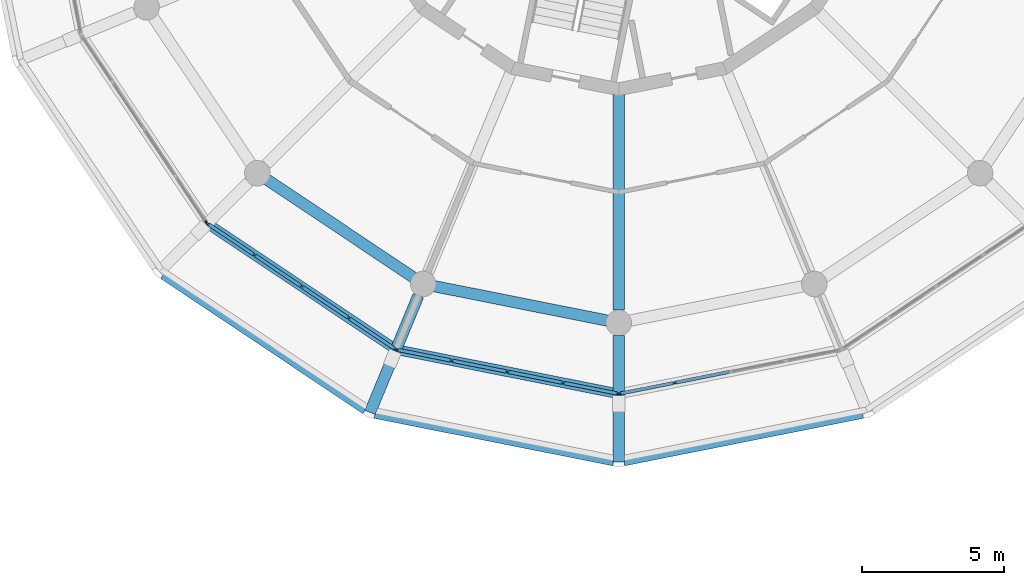
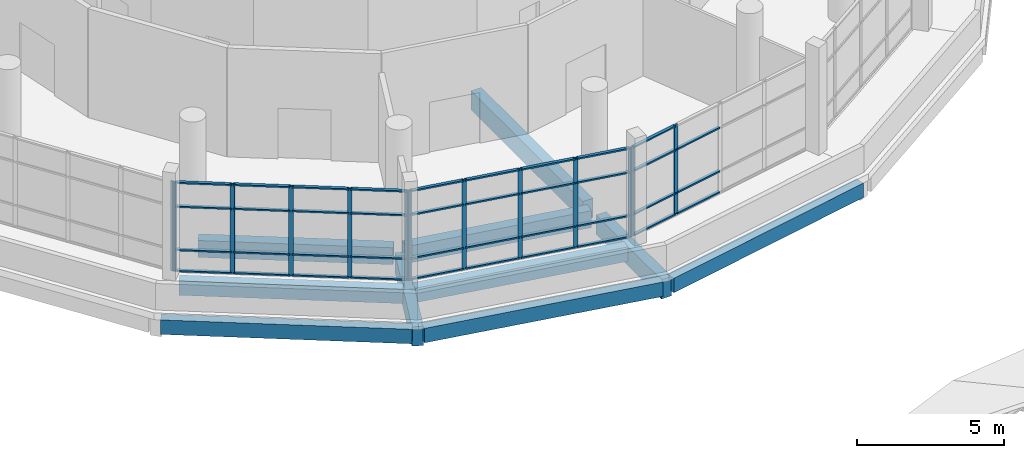
# One storey, part 3 of 21: 52 members, 10 beams, 4 elements without a shape of their own.
"""IFC4 building model written with IfcOpenShell, lengths in metres."""

from ifc_helpers import new_model, si_unit, direction, frame, origin, origin_2d, place, context, subcontext, project, spatial, rectangle, extrude, material, material_profile, profile_set, type_object, element, aggregate, save


model = new_model("IFC4")

# Units and contexts
model_context = context("Model", 3, precision=1e-05, world=origin(), true_north=direction((0.0, 1.0)))
body_context = subcontext(model_context, "Body", "Model", "MODEL_VIEW")
ifc_project = project(units=[si_unit("LENGTHUNIT", "METRE"), si_unit("AREAUNIT", "SQUARE_METRE"), si_unit("VOLUMEUNIT", "CUBIC_METRE"), si_unit("PLANEANGLEUNIT", "RADIAN"), si_unit("MASSUNIT", "GRAM", prefix="KILO")], contexts=[model_context])

# Site, building, storey
site_placement = place(None, origin())
site = spatial("IfcSite", under=ifc_project, at=site_placement, CompositionType="ELEMENT")
building_placement = place(site_placement, origin())
building = spatial("IfcBuilding", under=site, at=building_placement, Name="Ceibo Conservatory and Research Tower", CompositionType="ELEMENT")
storey_placement = place(building_placement, frame((0.0, 0.0, 15.60009765625)))
storey = spatial("IfcBuildingStorey", under=building, at=storey_placement, Name="L03", CompositionType="ELEMENT", Elevation=15.60009765625)

# Curtain wall, member
ifc_material_1 = material(Name="Aluminium and glass", Category="aluminium")
curtain_wall_type = type_object("IfcCurtainWallType", Name="Curtain wall CW1", PredefinedType="NOTDEFINED", material=ifc_material_1)
curtain_wall_1_placement = place(storey_placement, origin())
curtain_wall_1 = element("IfcCurtainWall", 1, at=curtain_wall_1_placement, inside=storey, type_object=curtain_wall_type, Name="CW-03.10", PredefinedType="NOTDEFINED")
ifc_material_2 = material(Name="Aluminium", Category="aluminium")
ifc_material_profile_1 = material_profile(ifc_material_2, rectangle(XDim=0.06005859375, YDim=0.159912109375, at=origin_2d()), Name="Aluminium 60 x 160")
ifc_profile_set_1 = profile_set([ifc_material_profile_1], Name="Aluminium")
member_type_1 = type_object("IfcMemberType", Name="Aluminium mullion 60 x 160", PredefinedType="MULLION", material=ifc_profile_set_1)
member_1_placement = place(storey_placement, frame((33.487548828125, 105.529296875, 0.0), z_axis=(0.0, 0.0, 1.0), x_axis=(0.831469649004, 0.555570178092, 0.0)))
member_1 = element("IfcMember", 2, at=member_1_placement, type_object=member_type_1, Name="CW-03.10 mullion 5", PredefinedType="MULLION", context=body_context, shape_type="SweptSolid", body=[
    extrude(rectangle(XDim=0.06005859375, YDim=0.159912109375, at=origin_2d()), origin(), (0.0, 0.0, 1.0), 3.719970703125),
])
aggregate(curtain_wall_1, [member_1])

# Curtain wall, members
curtain_wall_2_placement = place(storey_placement, origin())
curtain_wall_2 = element("IfcCurtainWall", 3, at=curtain_wall_2_placement, inside=storey, type_object=curtain_wall_type, Name="CW-03.11", PredefinedType="NOTDEFINED")
member_2_placement = place(storey_placement, frame((33.529296875, 105.487548828125, 0.0), z_axis=(0.0, 0.0, 1.0), x_axis=(0.555570178092, 0.831469649004, 0.0)))
member_2 = element("IfcMember", 4, at=member_2_placement, type_object=member_type_1, Name="CW-03.11 mullion 1", PredefinedType="MULLION", context=body_context, shape_type="SweptSolid", body=[
    extrude(rectangle(XDim=0.06005859375, YDim=0.159912109375, at=origin_2d()), origin(), (0.0, 0.0, 1.0), 3.719970703125),
])
member_3_placement = place(storey_placement, frame((35.1669921875, 104.393310546875, 0.0), z_axis=(0.0, 0.0, 1.0), x_axis=(0.555570178092, 0.831469649004, 0.0)))
member_3 = element("IfcMember", 5, at=member_3_placement, type_object=member_type_1, Name="CW-03.11 mullion 2", PredefinedType="MULLION", context=body_context, shape_type="SweptSolid", body=[
    extrude(rectangle(XDim=0.06005859375, YDim=0.159912109375, at=origin_2d()), origin(), (0.0, 0.0, 1.0), 3.719970703125),
])
member_4_placement = place(storey_placement, frame((36.82958984375, 103.282470703125, 0.0), z_axis=(0.0, 0.0, 1.0), x_axis=(0.555570178092, 0.831469649004, 0.0)))
member_4 = element("IfcMember", 6, at=member_4_placement, type_object=member_type_1, Name="CW-03.11 mullion 3", PredefinedType="MULLION", context=body_context, shape_type="SweptSolid", body=[
    extrude(rectangle(XDim=0.06005859375, YDim=0.159912109375, at=origin_2d()), origin(), (0.0, 0.0, 1.0), 3.719970703125),
])
member_5_placement = place(storey_placement, frame((38.492431640625, 102.17138671875, 0.0), z_axis=(0.0, 0.0, 1.0), x_axis=(0.555570178092, 0.831469649004, 0.0)))
member_5 = element("IfcMember", 7, at=member_5_placement, type_object=member_type_1, Name="CW-03.11 mullion 4", PredefinedType="MULLION", context=body_context, shape_type="SweptSolid", body=[
    extrude(rectangle(XDim=0.06005859375, YDim=0.159912109375, at=origin_2d()), origin(), (0.0, 0.0, 1.0), 3.719970703125),
])
member_6_placement = place(storey_placement, frame((40.130126953125, 101.0771484375, 0.0), z_axis=(0.0, 0.0, 1.0), x_axis=(0.555570178092, 0.831469649004, 0.0)))
member_6 = element("IfcMember", 8, at=member_6_placement, type_object=member_type_1, Name="CW-03.11 mullion 5", PredefinedType="MULLION", context=body_context, shape_type="SweptSolid", body=[
    extrude(rectangle(XDim=0.06005859375, YDim=0.159912109375, at=origin_2d()), origin(), (0.0, 0.0, 1.0), 3.719970703125),
])

curtain_wall_3_placement = place(storey_placement, origin())
curtain_wall_3 = element("IfcCurtainWall", 9, at=curtain_wall_3_placement, inside=storey, type_object=curtain_wall_type, Name="CW-03.12", PredefinedType="NOTDEFINED")
member_7_placement = place(storey_placement, frame((40.184326171875, 101.0546875, 0.0), z_axis=(0.0, 0.0, 1.0), x_axis=(0.195090380799, 0.980785268711, 0.0)))
member_7 = element("IfcMember", 10, at=member_7_placement, type_object=member_type_1, Name="CW-03.12 mullion 1", PredefinedType="MULLION", context=body_context, shape_type="SweptSolid", body=[
    extrude(rectangle(XDim=0.06005859375, YDim=0.159912109375, at=origin_2d()), origin(), (0.0, 0.0, 1.0), 3.719970703125),
])
member_8_placement = place(storey_placement, frame((42.1162109375, 100.67041015625, 0.0), z_axis=(0.0, 0.0, 1.0), x_axis=(0.195090380799, 0.980785268711, 0.0)))
member_8 = element("IfcMember", 11, at=member_8_placement, type_object=member_type_1, Name="CW-03.12 mullion 2", PredefinedType="MULLION", context=body_context, shape_type="SweptSolid", body=[
    extrude(rectangle(XDim=0.06005859375, YDim=0.159912109375, at=origin_2d()), origin(), (0.0, 0.0, 1.0), 3.719970703125),
])
member_9_placement = place(storey_placement, frame((44.077392578125, 100.2802734375, 0.0), z_axis=(0.0, 0.0, 1.0), x_axis=(0.195090380799, 0.980785268711, 0.0)))
member_9 = element("IfcMember", 12, at=member_9_placement, type_object=member_type_1, Name="CW-03.12 mullion 3", PredefinedType="MULLION", context=body_context, shape_type="SweptSolid", body=[
    extrude(rectangle(XDim=0.06005859375, YDim=0.159912109375, at=origin_2d()), origin(), (0.0, 0.0, 1.0), 3.719970703125),
])
member_10_placement = place(storey_placement, frame((46.038818359375, 99.89013671875, 0.0), z_axis=(0.0, 0.0, 1.0), x_axis=(0.195090380799, 0.980785268711, 0.0)))
member_10 = element("IfcMember", 13, at=member_10_placement, type_object=member_type_1, Name="CW-03.12 mullion 4", PredefinedType="MULLION", context=body_context, shape_type="SweptSolid", body=[
    extrude(rectangle(XDim=0.06005859375, YDim=0.159912109375, at=origin_2d()), origin(), (0.0, 0.0, 1.0), 3.719970703125),
])
member_11_placement = place(storey_placement, frame((47.970458984375, 99.505859375, 0.0), z_axis=(0.0, 0.0, 1.0), x_axis=(0.195090380799, 0.980785268711, 0.0)))
member_11 = element("IfcMember", 14, at=member_11_placement, type_object=member_type_1, Name="CW-03.12 mullion 5", PredefinedType="MULLION", context=body_context, shape_type="SweptSolid", body=[
    extrude(rectangle(XDim=0.06005859375, YDim=0.159912109375, at=origin_2d()), origin(), (0.0, 0.0, 1.0), 3.719970703125),
])

curtain_wall_4_placement = place(storey_placement, origin())
curtain_wall_4 = element("IfcCurtainWall", 15, at=curtain_wall_4_placement, inside=storey, type_object=curtain_wall_type, Name="CW-03.13", PredefinedType="NOTDEFINED")
member_12_placement = place(storey_placement, frame((48.029541015625, 99.505859375, 0.0), z_axis=(0.0, 0.0, 1.0), x_axis=(-0.195090380799, 0.980785268711, 0.0)))
member_12 = element("IfcMember", 16, at=member_12_placement, type_object=member_type_1, Name="CW-03.13 mullion 1", PredefinedType="MULLION", context=body_context, shape_type="SweptSolid", body=[
    extrude(rectangle(XDim=0.06005859375, YDim=0.159912109375, at=origin_2d()), origin(), (0.0, 0.0, 1.0), 3.719970703125),
])
member_13_placement = place(storey_placement, frame((49.961181640625, 99.89013671875, 0.0), z_axis=(0.0, 0.0, 1.0), x_axis=(-0.195090380799, 0.980785268711, 0.0)))
member_13 = element("IfcMember", 17, at=member_13_placement, type_object=member_type_1, Name="CW-03.13 mullion 2", PredefinedType="MULLION", context=body_context, shape_type="SweptSolid", body=[
    extrude(rectangle(XDim=0.06005859375, YDim=0.159912109375, at=origin_2d()), origin(), (0.0, 0.0, 1.0), 3.719970703125),
])

# Member
ifc_material_profile_2 = material_profile(ifc_material_2, rectangle(XDim=0.1201171875, YDim=0.06005859375, at=origin_2d()), Name="Aluminium 60 x 120")
ifc_profile_set_2 = profile_set([ifc_material_profile_2], Name="Aluminium")
member_type_2 = type_object("IfcMemberType", Name="Aluminium transom 60 x 120", PredefinedType="USERDEFINED", material=ifc_profile_set_2)
member_14_placement = place(storey_placement, frame((33.55419921875, 105.470947265625, 0.02978515625), z_axis=(0.831459801075, -0.555584916278, 0.0), x_axis=(0.555584916278, 0.831459801075, 0.0)))
member_14 = element("IfcMember", 18, at=member_14_placement, type_object=member_type_2, Name="CW-03.11 transom 1.1", ObjectType="TRANSOM", PredefinedType="USERDEFINED", context=body_context, shape_type="SweptSolid", body=[
    extrude(rectangle(XDim=0.1201171875, YDim=0.06005859375, at=origin_2d()), origin(), (0.0, 0.0, 1.0), 1.90966796875),
])

member_15_placement = place(storey_placement, frame((33.55419921875, 105.470947265625, 0.89990234375), z_axis=(0.831459801075, -0.555584916278, 0.0), x_axis=(0.555584916278, 0.831459801075, 0.0)))
member_15 = element("IfcMember", 19, at=member_15_placement, type_object=member_type_2, Name="CW-03.11 transom 1.2", ObjectType="TRANSOM", PredefinedType="USERDEFINED", context=body_context, shape_type="SweptSolid", body=[
    extrude(rectangle(XDim=0.1201171875, YDim=0.06005859375, at=origin_2d()), origin(), (0.0, 0.0, 1.0), 1.90966796875),
])

member_16_placement = place(storey_placement, frame((33.55419921875, 105.470947265625, 2.699951171875), z_axis=(0.831459801075, -0.555584916278, 0.0), x_axis=(0.555584916278, 0.831459801075, 0.0)))
member_16 = element("IfcMember", 20, at=member_16_placement, type_object=member_type_2, Name="CW-03.11 transom 1.3", ObjectType="TRANSOM", PredefinedType="USERDEFINED", context=body_context, shape_type="SweptSolid", body=[
    extrude(rectangle(XDim=0.1201171875, YDim=0.06005859375, at=origin_2d()), origin(), (0.0, 0.0, 1.0), 1.90966796875),
])

member_17_placement = place(storey_placement, frame((33.55419921875, 105.470947265625, 3.68994140625), z_axis=(0.831459801075, -0.555584916278, 0.0), x_axis=(0.555584916278, 0.831459801075, 0.0)))
member_17 = element("IfcMember", 21, at=member_17_placement, type_object=member_type_2, Name="CW-03.11 transom 1.4", ObjectType="TRANSOM", PredefinedType="USERDEFINED", context=body_context, shape_type="SweptSolid", body=[
    extrude(rectangle(XDim=0.1201171875, YDim=0.06005859375, at=origin_2d()), origin(), (0.0, 0.0, 1.0), 1.90966796875),
])

member_18_placement = place(storey_placement, frame((35.19189453125, 104.376708984375, 0.02978515625), z_axis=(0.831468919367, -0.55557127007, 0.0), x_axis=(0.55557127007, 0.831468919367, 0.0)))
member_18 = element("IfcMember", 22, at=member_18_placement, type_object=member_type_2, Name="CW-03.11 transom 2.1", ObjectType="TRANSOM", PredefinedType="USERDEFINED", context=body_context, shape_type="SweptSolid", body=[
    extrude(rectangle(XDim=0.1201171875, YDim=0.06005859375, at=origin_2d()), origin(), (0.0, 0.0, 1.0), 1.939697265625),
])

member_19_placement = place(storey_placement, frame((35.19189453125, 104.376708984375, 0.89990234375), z_axis=(0.831468919367, -0.55557127007, 0.0), x_axis=(0.55557127007, 0.831468919367, 0.0)))
member_19 = element("IfcMember", 23, at=member_19_placement, type_object=member_type_2, Name="CW-03.11 transom 2.2", ObjectType="TRANSOM", PredefinedType="USERDEFINED", context=body_context, shape_type="SweptSolid", body=[
    extrude(rectangle(XDim=0.1201171875, YDim=0.06005859375, at=origin_2d()), origin(), (0.0, 0.0, 1.0), 1.939697265625),
])

member_20_placement = place(storey_placement, frame((35.19189453125, 104.376708984375, 2.699951171875), z_axis=(0.831468919367, -0.55557127007, 0.0), x_axis=(0.55557127007, 0.831468919367, 0.0)))
member_20 = element("IfcMember", 24, at=member_20_placement, type_object=member_type_2, Name="CW-03.11 transom 2.3", ObjectType="TRANSOM", PredefinedType="USERDEFINED", context=body_context, shape_type="SweptSolid", body=[
    extrude(rectangle(XDim=0.1201171875, YDim=0.06005859375, at=origin_2d()), origin(), (0.0, 0.0, 1.0), 1.939697265625),
])

member_21_placement = place(storey_placement, frame((35.19189453125, 104.376708984375, 3.68994140625), z_axis=(0.831468919367, -0.55557127007, 0.0), x_axis=(0.55557127007, 0.831468919367, 0.0)))
member_21 = element("IfcMember", 25, at=member_21_placement, type_object=member_type_2, Name="CW-03.11 transom 2.4", ObjectType="TRANSOM", PredefinedType="USERDEFINED", context=body_context, shape_type="SweptSolid", body=[
    extrude(rectangle(XDim=0.1201171875, YDim=0.06005859375, at=origin_2d()), origin(), (0.0, 0.0, 1.0), 1.939697265625),
])

member_22_placement = place(storey_placement, frame((36.8544921875, 103.265625, 0.02978515625), z_axis=(0.831468919367, -0.55557127007, 0.0), x_axis=(0.55557127007, 0.831468919367, 0.0)))
member_22 = element("IfcMember", 26, at=member_22_placement, type_object=member_type_2, Name="CW-03.11 transom 3.1", ObjectType="TRANSOM", PredefinedType="USERDEFINED", context=body_context, shape_type="SweptSolid", body=[
    extrude(rectangle(XDim=0.1201171875, YDim=0.06005859375, at=origin_2d()), origin(), (0.0, 0.0, 1.0), 1.939697265625),
])

member_23_placement = place(storey_placement, frame((36.8544921875, 103.265625, 0.89990234375), z_axis=(0.831468919367, -0.55557127007, 0.0), x_axis=(0.55557127007, 0.831468919367, 0.0)))
member_23 = element("IfcMember", 27, at=member_23_placement, type_object=member_type_2, Name="CW-03.11 transom 3.2", ObjectType="TRANSOM", PredefinedType="USERDEFINED", context=body_context, shape_type="SweptSolid", body=[
    extrude(rectangle(XDim=0.1201171875, YDim=0.06005859375, at=origin_2d()), origin(), (0.0, 0.0, 1.0), 1.939697265625),
])

member_24_placement = place(storey_placement, frame((36.8544921875, 103.265625, 2.699951171875), z_axis=(0.831468919367, -0.55557127007, 0.0), x_axis=(0.55557127007, 0.831468919367, 0.0)))
member_24 = element("IfcMember", 28, at=member_24_placement, type_object=member_type_2, Name="CW-03.11 transom 3.3", ObjectType="TRANSOM", PredefinedType="USERDEFINED", context=body_context, shape_type="SweptSolid", body=[
    extrude(rectangle(XDim=0.1201171875, YDim=0.06005859375, at=origin_2d()), origin(), (0.0, 0.0, 1.0), 1.939697265625),
])

member_25_placement = place(storey_placement, frame((36.8544921875, 103.265625, 3.68994140625), z_axis=(0.831468919367, -0.55557127007, 0.0), x_axis=(0.55557127007, 0.831468919367, 0.0)))
member_25 = element("IfcMember", 29, at=member_25_placement, type_object=member_type_2, Name="CW-03.11 transom 3.4", ObjectType="TRANSOM", PredefinedType="USERDEFINED", context=body_context, shape_type="SweptSolid", body=[
    extrude(rectangle(XDim=0.1201171875, YDim=0.06005859375, at=origin_2d()), origin(), (0.0, 0.0, 1.0), 1.939697265625),
])

member_26_placement = place(storey_placement, frame((38.517333984375, 102.15478515625, 0.02978515625), z_axis=(0.831420334371, -0.555643975577, 0.0), x_axis=(0.555643975577, 0.831420334371, 0.0)))
member_26 = element("IfcMember", 30, at=member_26_placement, type_object=member_type_2, Name="CW-03.11 transom 4.1", ObjectType="TRANSOM", PredefinedType="USERDEFINED", context=body_context, shape_type="SweptSolid", body=[
    extrude(rectangle(XDim=0.1201171875, YDim=0.06005859375, at=origin_2d()), origin(), (0.0, 0.0, 1.0), 1.90966796875),
])

member_27_placement = place(storey_placement, frame((38.517333984375, 102.15478515625, 0.89990234375), z_axis=(0.831420334371, -0.555643975577, 0.0), x_axis=(0.555643975577, 0.831420334371, 0.0)))
member_27 = element("IfcMember", 31, at=member_27_placement, type_object=member_type_2, Name="CW-03.11 transom 4.2", ObjectType="TRANSOM", PredefinedType="USERDEFINED", context=body_context, shape_type="SweptSolid", body=[
    extrude(rectangle(XDim=0.1201171875, YDim=0.06005859375, at=origin_2d()), origin(), (0.0, 0.0, 1.0), 1.90966796875),
])

member_28_placement = place(storey_placement, frame((38.517333984375, 102.15478515625, 2.699951171875), z_axis=(0.831420334371, -0.555643975577, 0.0), x_axis=(0.555643975577, 0.831420334371, 0.0)))
member_28 = element("IfcMember", 32, at=member_28_placement, type_object=member_type_2, Name="CW-03.11 transom 4.3", ObjectType="TRANSOM", PredefinedType="USERDEFINED", context=body_context, shape_type="SweptSolid", body=[
    extrude(rectangle(XDim=0.1201171875, YDim=0.06005859375, at=origin_2d()), origin(), (0.0, 0.0, 1.0), 1.90966796875),
])

member_29_placement = place(storey_placement, frame((38.517333984375, 102.15478515625, 3.68994140625), z_axis=(0.831420334371, -0.555643975577, 0.0), x_axis=(0.555643975577, 0.831420334371, 0.0)))
member_29 = element("IfcMember", 33, at=member_29_placement, type_object=member_type_2, Name="CW-03.11 transom 4.4", ObjectType="TRANSOM", PredefinedType="USERDEFINED", context=body_context, shape_type="SweptSolid", body=[
    extrude(rectangle(XDim=0.1201171875, YDim=0.06005859375, at=origin_2d()), origin(), (0.0, 0.0, 1.0), 1.90966796875),
])

aggregate(curtain_wall_2, [member_2, member_3, member_4, member_5, member_6, member_14, member_15, member_16, member_17, member_18, member_19, member_20, member_21, member_22, member_23, member_24, member_25, member_26, member_27, member_28, member_29])

member_30_placement = place(storey_placement, frame((40.2138671875, 101.048828125, 0.02978515625), z_axis=(0.980786642434, -0.195083474499, 0.0), x_axis=(0.195083474499, 0.980786642434, 0.0)))
member_30 = element("IfcMember", 34, at=member_30_placement, type_object=member_type_2, Name="CW-03.12 transom 1.1", ObjectType="TRANSOM", PredefinedType="USERDEFINED", context=body_context, shape_type="SweptSolid", body=[
    extrude(rectangle(XDim=0.1201171875, YDim=0.06005859375, at=origin_2d()), origin(), (0.0, 0.0, 1.0), 1.90966796875),
])

member_31_placement = place(storey_placement, frame((40.2138671875, 101.048828125, 0.89990234375), z_axis=(0.980786642434, -0.195083474499, 0.0), x_axis=(0.195083474499, 0.980786642434, 0.0)))
member_31 = element("IfcMember", 35, at=member_31_placement, type_object=member_type_2, Name="CW-03.12 transom 1.2", ObjectType="TRANSOM", PredefinedType="USERDEFINED", context=body_context, shape_type="SweptSolid", body=[
    extrude(rectangle(XDim=0.1201171875, YDim=0.06005859375, at=origin_2d()), origin(), (0.0, 0.0, 1.0), 1.90966796875),
])

member_32_placement = place(storey_placement, frame((40.2138671875, 101.048828125, 2.699951171875), z_axis=(0.980786642434, -0.195083474499, 0.0), x_axis=(0.195083474499, 0.980786642434, 0.0)))
member_32 = element("IfcMember", 36, at=member_32_placement, type_object=member_type_2, Name="CW-03.12 transom 1.3", ObjectType="TRANSOM", PredefinedType="USERDEFINED", context=body_context, shape_type="SweptSolid", body=[
    extrude(rectangle(XDim=0.1201171875, YDim=0.06005859375, at=origin_2d()), origin(), (0.0, 0.0, 1.0), 1.90966796875),
])

member_33_placement = place(storey_placement, frame((40.2138671875, 101.048828125, 3.68994140625), z_axis=(0.980786642434, -0.195083474499, 0.0), x_axis=(0.195083474499, 0.980786642434, 0.0)))
member_33 = element("IfcMember", 37, at=member_33_placement, type_object=member_type_2, Name="CW-03.12 transom 1.4", ObjectType="TRANSOM", PredefinedType="USERDEFINED", context=body_context, shape_type="SweptSolid", body=[
    extrude(rectangle(XDim=0.1201171875, YDim=0.06005859375, at=origin_2d()), origin(), (0.0, 0.0, 1.0), 1.90966796875),
])

member_34_placement = place(storey_placement, frame((42.145751953125, 100.66455078125, 0.02978515625), z_axis=(0.980783478053, -0.195099382826, 0.0), x_axis=(0.195099382826, 0.980783478053, 0.0)))
member_34 = element("IfcMember", 38, at=member_34_placement, type_object=member_type_2, Name="CW-03.12 transom 2.1", ObjectType="TRANSOM", PredefinedType="USERDEFINED", context=body_context, shape_type="SweptSolid", body=[
    extrude(rectangle(XDim=0.1201171875, YDim=0.06005859375, at=origin_2d()), origin(), (0.0, 0.0, 1.0), 1.939697265625),
])

member_35_placement = place(storey_placement, frame((42.145751953125, 100.66455078125, 0.89990234375), z_axis=(0.980783478053, -0.195099382826, 0.0), x_axis=(0.195099382826, 0.980783478053, 0.0)))
member_35 = element("IfcMember", 39, at=member_35_placement, type_object=member_type_2, Name="CW-03.12 transom 2.2", ObjectType="TRANSOM", PredefinedType="USERDEFINED", context=body_context, shape_type="SweptSolid", body=[
    extrude(rectangle(XDim=0.1201171875, YDim=0.06005859375, at=origin_2d()), origin(), (0.0, 0.0, 1.0), 1.939697265625),
])

member_36_placement = place(storey_placement, frame((42.145751953125, 100.66455078125, 2.699951171875), z_axis=(0.980783478053, -0.195099382826, 0.0), x_axis=(0.195099382826, 0.980783478053, 0.0)))
member_36 = element("IfcMember", 40, at=member_36_placement, type_object=member_type_2, Name="CW-03.12 transom 2.3", ObjectType="TRANSOM", PredefinedType="USERDEFINED", context=body_context, shape_type="SweptSolid", body=[
    extrude(rectangle(XDim=0.1201171875, YDim=0.06005859375, at=origin_2d()), origin(), (0.0, 0.0, 1.0), 1.939697265625),
])

member_37_placement = place(storey_placement, frame((42.145751953125, 100.66455078125, 3.68994140625), z_axis=(0.980783478053, -0.195099382826, 0.0), x_axis=(0.195099382826, 0.980783478053, 0.0)))
member_37 = element("IfcMember", 41, at=member_37_placement, type_object=member_type_2, Name="CW-03.12 transom 2.4", ObjectType="TRANSOM", PredefinedType="USERDEFINED", context=body_context, shape_type="SweptSolid", body=[
    extrude(rectangle(XDim=0.1201171875, YDim=0.06005859375, at=origin_2d()), origin(), (0.0, 0.0, 1.0), 1.939697265625),
])

member_38_placement = place(storey_placement, frame((44.10693359375, 100.2744140625, 0.02978515625), z_axis=(0.980783478053, -0.195099382826, 0.0), x_axis=(0.195099382826, 0.980783478053, 0.0)))
member_38 = element("IfcMember", 42, at=member_38_placement, type_object=member_type_2, Name="CW-03.12 transom 3.1", ObjectType="TRANSOM", PredefinedType="USERDEFINED", context=body_context, shape_type="SweptSolid", body=[
    extrude(rectangle(XDim=0.1201171875, YDim=0.06005859375, at=origin_2d()), origin(), (0.0, 0.0, 1.0), 1.939697265625),
])

member_39_placement = place(storey_placement, frame((44.10693359375, 100.2744140625, 0.89990234375), z_axis=(0.980783478053, -0.195099382826, 0.0), x_axis=(0.195099382826, 0.980783478053, 0.0)))
member_39 = element("IfcMember", 43, at=member_39_placement, type_object=member_type_2, Name="CW-03.12 transom 3.2", ObjectType="TRANSOM", PredefinedType="USERDEFINED", context=body_context, shape_type="SweptSolid", body=[
    extrude(rectangle(XDim=0.1201171875, YDim=0.06005859375, at=origin_2d()), origin(), (0.0, 0.0, 1.0), 1.939697265625),
])

member_40_placement = place(storey_placement, frame((44.10693359375, 100.2744140625, 2.699951171875), z_axis=(0.980783478053, -0.195099382826, 0.0), x_axis=(0.195099382826, 0.980783478053, 0.0)))
member_40 = element("IfcMember", 44, at=member_40_placement, type_object=member_type_2, Name="CW-03.12 transom 3.3", ObjectType="TRANSOM", PredefinedType="USERDEFINED", context=body_context, shape_type="SweptSolid", body=[
    extrude(rectangle(XDim=0.1201171875, YDim=0.06005859375, at=origin_2d()), origin(), (0.0, 0.0, 1.0), 1.939697265625),
])

member_41_placement = place(storey_placement, frame((44.10693359375, 100.2744140625, 3.68994140625), z_axis=(0.980783478053, -0.195099382826, 0.0), x_axis=(0.195099382826, 0.980783478053, 0.0)))
member_41 = element("IfcMember", 45, at=member_41_placement, type_object=member_type_2, Name="CW-03.12 transom 3.4", ObjectType="TRANSOM", PredefinedType="USERDEFINED", context=body_context, shape_type="SweptSolid", body=[
    extrude(rectangle(XDim=0.1201171875, YDim=0.06005859375, at=origin_2d()), origin(), (0.0, 0.0, 1.0), 1.939697265625),
])

member_42_placement = place(storey_placement, frame((46.068115234375, 99.88427734375, 0.02978515625), z_axis=(0.980786642434, -0.195083474499, 0.0), x_axis=(0.195083474499, 0.980786642434, 0.0)))
member_42 = element("IfcMember", 46, at=member_42_placement, type_object=member_type_2, Name="CW-03.12 transom 4.1", ObjectType="TRANSOM", PredefinedType="USERDEFINED", context=body_context, shape_type="SweptSolid", body=[
    extrude(rectangle(XDim=0.1201171875, YDim=0.06005859375, at=origin_2d()), origin(), (0.0, 0.0, 1.0), 1.90966796875),
])

member_43_placement = place(storey_placement, frame((46.068115234375, 99.88427734375, 0.89990234375), z_axis=(0.980786642434, -0.195083474499, 0.0), x_axis=(0.195083474499, 0.980786642434, 0.0)))
member_43 = element("IfcMember", 47, at=member_43_placement, type_object=member_type_2, Name="CW-03.12 transom 4.2", ObjectType="TRANSOM", PredefinedType="USERDEFINED", context=body_context, shape_type="SweptSolid", body=[
    extrude(rectangle(XDim=0.1201171875, YDim=0.06005859375, at=origin_2d()), origin(), (0.0, 0.0, 1.0), 1.90966796875),
])

member_44_placement = place(storey_placement, frame((46.068115234375, 99.88427734375, 2.699951171875), z_axis=(0.980786642434, -0.195083474499, 0.0), x_axis=(0.195083474499, 0.980786642434, 0.0)))
member_44 = element("IfcMember", 48, at=member_44_placement, type_object=member_type_2, Name="CW-03.12 transom 4.3", ObjectType="TRANSOM", PredefinedType="USERDEFINED", context=body_context, shape_type="SweptSolid", body=[
    extrude(rectangle(XDim=0.1201171875, YDim=0.06005859375, at=origin_2d()), origin(), (0.0, 0.0, 1.0), 1.90966796875),
])

member_45_placement = place(storey_placement, frame((46.068115234375, 99.88427734375, 3.68994140625), z_axis=(0.980786642434, -0.195083474499, 0.0), x_axis=(0.195083474499, 0.980786642434, 0.0)))
member_45 = element("IfcMember", 49, at=member_45_placement, type_object=member_type_2, Name="CW-03.12 transom 4.4", ObjectType="TRANSOM", PredefinedType="USERDEFINED", context=body_context, shape_type="SweptSolid", body=[
    extrude(rectangle(XDim=0.1201171875, YDim=0.06005859375, at=origin_2d()), origin(), (0.0, 0.0, 1.0), 1.90966796875),
])

aggregate(curtain_wall_3, [member_7, member_8, member_9, member_10, member_11, member_30, member_31, member_32, member_33, member_34, member_35, member_36, member_37, member_38, member_39, member_40, member_41, member_42, member_43, member_44, member_45])

member_46_placement = place(storey_placement, frame((48.058837890625, 99.51171875, 0.02978515625), z_axis=(0.980786642434, 0.195083474499, 0.0), x_axis=(-0.195083474499, 0.980786642434, 0.0)))
member_46 = element("IfcMember", 50, at=member_46_placement, type_object=member_type_2, Name="CW-03.13 transom 1.1", ObjectType="TRANSOM", PredefinedType="USERDEFINED", context=body_context, shape_type="SweptSolid", body=[
    extrude(rectangle(XDim=0.1201171875, YDim=0.06005859375, at=origin_2d()), origin(), (0.0, 0.0, 1.0), 1.90966796875),
])

member_47_placement = place(storey_placement, frame((48.058837890625, 99.51171875, 0.89990234375), z_axis=(0.980786642434, 0.195083474499, 0.0), x_axis=(-0.195083474499, 0.980786642434, 0.0)))
member_47 = element("IfcMember", 51, at=member_47_placement, type_object=member_type_2, Name="CW-03.13 transom 1.2", ObjectType="TRANSOM", PredefinedType="USERDEFINED", context=body_context, shape_type="SweptSolid", body=[
    extrude(rectangle(XDim=0.1201171875, YDim=0.06005859375, at=origin_2d()), origin(), (0.0, 0.0, 1.0), 1.90966796875),
])

member_48_placement = place(storey_placement, frame((48.058837890625, 99.51171875, 2.699951171875), z_axis=(0.980786642434, 0.195083474499, 0.0), x_axis=(-0.195083474499, 0.980786642434, 0.0)))
member_48 = element("IfcMember", 52, at=member_48_placement, type_object=member_type_2, Name="CW-03.13 transom 1.3", ObjectType="TRANSOM", PredefinedType="USERDEFINED", context=body_context, shape_type="SweptSolid", body=[
    extrude(rectangle(XDim=0.1201171875, YDim=0.06005859375, at=origin_2d()), origin(), (0.0, 0.0, 1.0), 1.90966796875),
])

member_49_placement = place(storey_placement, frame((48.058837890625, 99.51171875, 3.68994140625), z_axis=(0.980786642434, 0.195083474499, 0.0), x_axis=(-0.195083474499, 0.980786642434, 0.0)))
member_49 = element("IfcMember", 53, at=member_49_placement, type_object=member_type_2, Name="CW-03.13 transom 1.4", ObjectType="TRANSOM", PredefinedType="USERDEFINED", context=body_context, shape_type="SweptSolid", body=[
    extrude(rectangle(XDim=0.1201171875, YDim=0.06005859375, at=origin_2d()), origin(), (0.0, 0.0, 1.0), 1.90966796875),
])

member_50_placement = place(storey_placement, frame((49.99072265625, 99.89599609375, 0.02978515625), z_axis=(0.980783478053, 0.195099382826, 0.0), x_axis=(-0.195099382826, 0.980783478053, 0.0)))
member_50 = element("IfcMember", 54, at=member_50_placement, type_object=member_type_2, Name="CW-03.13 transom 2.1", ObjectType="TRANSOM", PredefinedType="USERDEFINED", context=body_context, shape_type="SweptSolid", body=[
    extrude(rectangle(XDim=0.1201171875, YDim=0.06005859375, at=origin_2d()), origin(), (0.0, 0.0, 1.0), 1.939697265625),
])

member_51_placement = place(storey_placement, frame((49.99072265625, 99.89599609375, 0.89990234375), z_axis=(0.980783478053, 0.195099382826, 0.0), x_axis=(-0.195099382826, 0.980783478053, 0.0)))
member_51 = element("IfcMember", 55, at=member_51_placement, type_object=member_type_2, Name="CW-03.13 transom 2.2", ObjectType="TRANSOM", PredefinedType="USERDEFINED", context=body_context, shape_type="SweptSolid", body=[
    extrude(rectangle(XDim=0.1201171875, YDim=0.06005859375, at=origin_2d()), origin(), (0.0, 0.0, 1.0), 1.939697265625),
])

member_52_placement = place(storey_placement, frame((49.99072265625, 99.89599609375, 2.699951171875), z_axis=(0.980783478053, 0.195099382826, 0.0), x_axis=(-0.195099382826, 0.980783478053, 0.0)))
member_52 = element("IfcMember", 56, at=member_52_placement, type_object=member_type_2, Name="CW-03.13 transom 2.3", ObjectType="TRANSOM", PredefinedType="USERDEFINED", context=body_context, shape_type="SweptSolid", body=[
    extrude(rectangle(XDim=0.1201171875, YDim=0.06005859375, at=origin_2d()), origin(), (0.0, 0.0, 1.0), 1.939697265625),
])

aggregate(curtain_wall_4, [member_12, member_13, member_46, member_47, member_48, member_49, member_50, member_51, member_52])

# Beams
ifc_material_3 = material(Name="Concrete C35/45", Category="concrete")
ifc_material_profile_3 = material_profile(ifc_material_3, rectangle(XDim=0.35009765625, YDim=0.60009765625, at=origin_2d()), Name="RC 350x600")
ifc_profile_set_3 = profile_set([ifc_material_profile_3], Name="Concrete C35/45")
beam_type_1 = type_object("IfcBeamType", Name="RC beam 350x600 C35", PredefinedType="BEAM", material=ifc_profile_set_3)
for number, where, z_axis, x_axis, name in (
    (57, (33.6572265625, 105.402099609375, -0.580078125), (0.831464091312, -0.555578495676, 0.0), (0.555578495676, 0.831464091312, 0.0), "Edge beam 11 L03"),
    (58, (40.33544921875, 101.024658203125, -0.580078125), (0.980783190489, -0.195100828433, 0.0), (0.195100828433, 0.980783190489, 0.0), "Edge beam 12 L03"),
):
    element("IfcBeam", number, at=place(storey_placement, frame(where, z_axis=z_axis, x_axis=x_axis)), inside=storey, type_object=beam_type_1, Name=name, PredefinedType="BEAM", context=body_context, shape_type="SweptSolid", body=[
        extrude(rectangle(XDim=0.35009765625, YDim=0.60009765625, at=origin_2d()), origin(), (0.0, 0.0, 1.0), 7.630859375),
    ])
beam_1_placement = place(storey_placement, frame((31.960205078125, 103.705078125, -0.580078125), z_axis=(0.831471143198, -0.555567941866, 0.0), x_axis=(0.555567941866, 0.831471143198, 0.0)))
element("IfcBeam", 59, at=beam_1_placement, inside=storey, type_object=beam_type_1, Name="Edge beam 11 L03", PredefinedType="BEAM", context=body_context, shape_type="SweptSolid", body=[
    extrude(rectangle(XDim=0.35009765625, YDim=0.60009765625, at=origin_2d()), origin(), (0.0, 0.0, 1.0), 8.5673828125),
])
for number, where, z_axis, x_axis, name in (
    (60, (39.4169921875, 98.807373046875, -0.580078125), (0.980785100181, -0.195091228051, 0.0), (0.195091228051, 0.980785100181, 0.0), "Edge beam 12 L03"),
    (61, (48.180419921875, 97.135986328125, -0.580078125), (0.980785100181, 0.195091228051, 0.0), (-0.195091228051, 0.980785100181, 0.0), "Edge beam 13 L03"),
):
    element("IfcBeam", number, at=place(storey_placement, frame(where, z_axis=z_axis, x_axis=x_axis)), inside=storey, type_object=beam_type_1, Name=name, PredefinedType="BEAM", context=body_context, shape_type="SweptSolid", body=[
        extrude(rectangle(XDim=0.35009765625, YDim=0.60009765625, at=origin_2d()), origin(), (0.0, 0.0, 1.0), 8.567138671875),
    ])
ifc_material_profile_4 = material_profile(ifc_material_3, rectangle(XDim=0.39990234375, YDim=0.699951171875, at=origin_2d()), Name="RC 400x700")
ifc_profile_set_4 = profile_set([ifc_material_profile_4], Name="Concrete C35/45")
beam_type_2 = type_object("IfcBeamType", Name="RC beam 400x700 C35", PredefinedType="BEAM", material=ifc_profile_set_4)
beam_2_placement = place(storey_placement, frame((35.425048828125, 107.169921875, -0.630126953125), z_axis=(0.83146854485, -0.555571830572, 0.0), x_axis=(0.555571830572, 0.83146854485, 0.0)))
element("IfcBeam", 62, at=beam_2_placement, inside=storey, type_object=beam_type_2, Name="Ring beam 11 L03", PredefinedType="BEAM", context=body_context, shape_type="SweptSolid", body=[
    extrude(rectangle(XDim=0.39990234375, YDim=0.699951171875, at=origin_2d()), origin(), (0.0, 0.0, 1.0), 6.6552734375),
])
beam_3_placement = place(storey_placement, frame((41.2919921875, 103.334228515625, -0.630126953125), z_axis=(0.980787526167, -0.19507903146, 0.0), x_axis=(0.19507903146, 0.980787526167, 0.0)))
element("IfcBeam", 63, at=beam_3_placement, inside=storey, type_object=beam_type_2, Name="Ring beam 12 L03", PredefinedType="BEAM", context=body_context, shape_type="SweptSolid", body=[
    extrude(rectangle(XDim=0.39990234375, YDim=0.699951171875, at=origin_2d()), origin(), (0.0, 0.0, 1.0), 6.655517578125),
])
ifc_material_profile_5 = material_profile(ifc_material_3, rectangle(XDim=0.39990234375, YDim=0.800048828125, at=origin_2d()), Name="RC 400x800")
ifc_profile_set_5 = profile_set([ifc_material_profile_5], Name="Concrete C35/45")
beam_type_3 = type_object("IfcBeamType", Name="RC beam 400x800 C35", PredefinedType="BEAM", material=ifc_profile_set_5)
beam_4_placement = place(storey_placement, frame((48.0, 110.050048828125, -0.68017578125), z_axis=(0.0, -1.0, 0.0), x_axis=(1.0, 0.0, 0.0)))
element("IfcBeam", 64, at=beam_4_placement, inside=storey, type_object=beam_type_3, Name="Radial beam R13 L03", PredefinedType="BEAM", context=body_context, shape_type="SweptSolid", body=[
    extrude(rectangle(XDim=0.39990234375, YDim=0.800048828125, at=origin_2d()), origin(), (0.0, 0.0, 1.0), 7.60009765625),
])
ifc_material_profile_6 = material_profile(ifc_material_3, rectangle(XDim=0.39990234375, YDim=0.800048828125, at=origin_2d()), Name="RC 400x800")
ifc_profile_set_6 = profile_set([ifc_material_profile_6], Name="Concrete C35/45")
beam_type_4 = type_object("IfcBeamType", Name="RC cantilever beam 400x800 C35", PredefinedType="BEAM", material=ifc_profile_set_6)
for number, where, z_axis, x_axis, name in (
    (65, (40.939453125, 102.954345703125, -0.68017578125), (-0.382660632392, -0.92388897624, 0.0), (0.92388897624, -0.382660632392, 0.0), "Radial cantilever beam R12 L03"),
    (66, (48.0, 101.550048828125, -0.68017578125), (0.0, -1.0, 0.0), (1.0, 0.0, 0.0), "Radial cantilever beam R13 L03"),
):
    element("IfcBeam", number, at=place(storey_placement, frame(where, z_axis=z_axis, x_axis=x_axis)), inside=storey, type_object=beam_type_4, Name=name, PredefinedType="BEAM", context=body_context, shape_type="SweptSolid", body=[
        extrude(rectangle(XDim=0.39990234375, YDim=0.800048828125, at=origin_2d()), origin(), (0.0, 0.0, 1.0), 4.445068359375),
    ])

save(model, "model.ifc")
